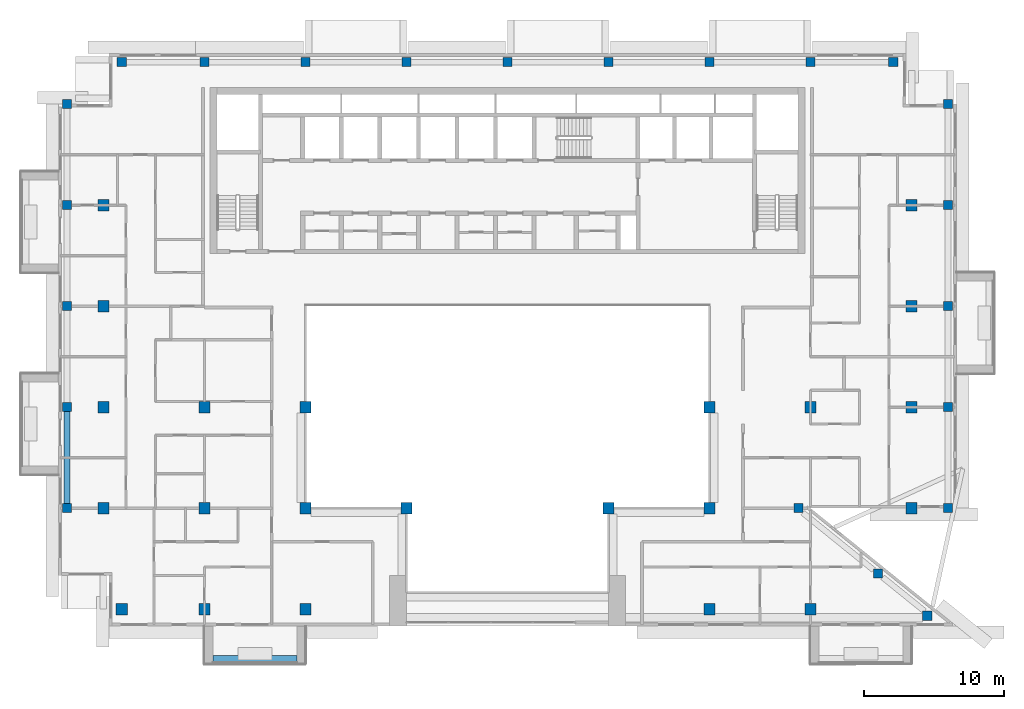
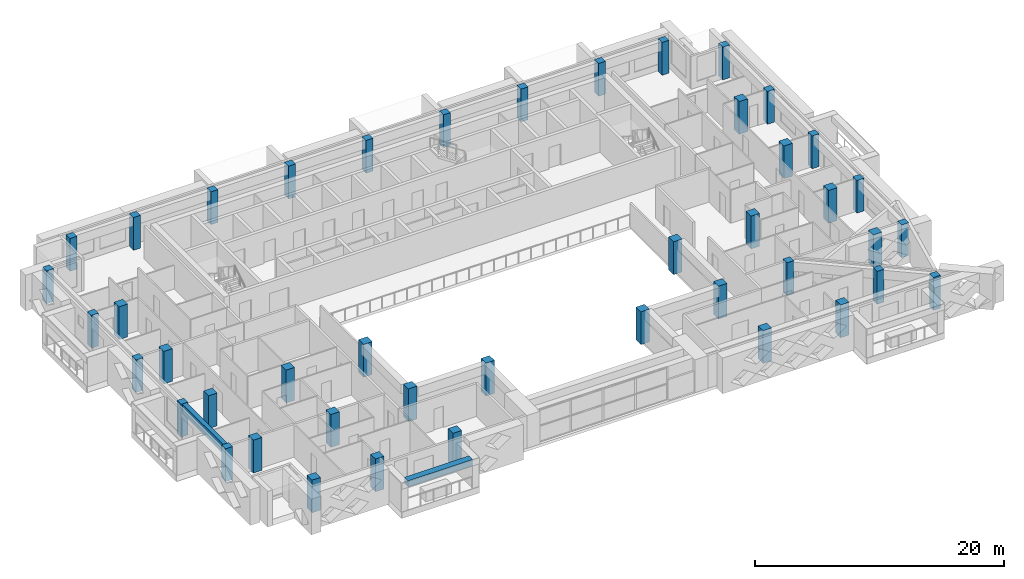
# One storey, part 1 of 19: 44 columns, 2 beams.
"""IFC4 building model written with IfcOpenShell, lengths in metres."""

from ifc_helpers import new_model, si_unit, direction, frame, origin, origin_2d, place, context, subcontext, project, spatial, rectangle, extrude, source, transform, mapped, material, material_profile, profile_set, type_object, element, save


model = new_model("IFC4")

# Units and contexts
model_context = context("Model", 3, precision=1e-05, world=origin(), true_north=direction((0.0, 1.0)))
body_context = subcontext(model_context, "Body", "Model", "MODEL_VIEW")
ifc_project = project(units=[si_unit("LENGTHUNIT", "METRE"), si_unit("AREAUNIT", "SQUARE_METRE"), si_unit("VOLUMEUNIT", "CUBIC_METRE"), si_unit("PLANEANGLEUNIT", "RADIAN"), si_unit("MASSUNIT", "GRAM", prefix="KILO")], contexts=[model_context])

# Site, building, storey
site_placement = place(None, origin())
site = spatial("IfcSite", under=ifc_project, at=site_placement, CompositionType="ELEMENT")
building_placement = place(site_placement, origin())
building = spatial("IfcBuilding", under=site, at=building_placement, Name="Saffron Iwan Residences", CompositionType="ELEMENT")
storey_placement = place(building_placement, frame((0.0, 0.0, 243.0)))
storey = spatial("IfcBuildingStorey", under=building, at=storey_placement, Name="L65", CompositionType="ELEMENT", Elevation=243.0)

# Columns
ifc_material_1 = material(Name="Concrete C40/50", Category="concrete")
ifc_material_profile_1 = material_profile(ifc_material_1, rectangle(XDim=0.64990234375, YDim=0.64990234375, at=origin_2d()), Name="RC 650x650")
ifc_profile_set_1 = profile_set([ifc_material_profile_1], Name="Concrete C40/50")
column_type_1 = type_object("IfcColumnType", Name="COL RC 650x650 C40/50 3220 HIGH", PredefinedType="COLUMN", material=ifc_profile_set_1)
shared_shape_1 = source(origin(), body_context, "Body", "SweptSolid", [
    extrude(rectangle(XDim=0.64990234375, YDim=0.64990234375, at=origin_2d()), origin(), (0.0, 0.0, 1.0), 3.219970703125),
])
for number, where, z_axis, x_axis, name in (
    (1, (80.32568359375, 40.3330078125, 0.0), (0.0, 0.0, 1.0), (1.0, 0.0, 0.0), "Column C046"),
    (2, (76.822998046875, 43.333251953125, 0.0), (0.0, 0.0, 1.0), (1.0, 0.0, 0.0), "Column C057"),
    (3, (19.0, 48.0, 0.0), (0.0, 0.0, 1.0), (1.0, 0.0, 0.0), "Column C062"),
    (4, (71.14990234375, 48.0, 0.0), (0.0, 0.0, 1.0), (1.0, 0.0, 0.0), "Column C070"),
    (5, (81.800048828125, 48.0, 0.0), (0.0, 0.0, 1.0), (1.0, 0.0, 0.0), "Column C073"),
    (6, (19.0, 55.199951171875, 0.0), (0.0, 0.0, 1.0), (1.0, 0.0, 0.0), "Column C078"),
    (7, (81.800048828125, 55.199951171875, 0.0), (0.0, 0.0, 1.0), (1.0, 0.0, 0.0), "Column C085"),
    (8, (19.0, 62.39990234375, 0.0), (0.0, 0.0, 1.0), (1.0, 0.0, 0.0), "Column C090"),
    (9, (81.800048828125, 62.39990234375, 0.0), (0.0, 0.0, 1.0), (1.0, 0.0, 0.0), "Column C093"),
    (10, (19.0, 69.60009765625, 0.0), (0.0, 0.0, 1.0), (1.0, 0.0, 0.0), "Column C098"),
    (11, (81.800048828125, 69.60009765625, 0.0), (0.0, 0.0, 1.0), (1.0, 0.0, 0.0), "Column C101"),
    (12, (19.0, 76.800048828125, 0.0), (0.0, 0.0, 1.0), (1.0, 0.0, 0.0), "Column C106"),
    (13, (81.800048828125, 76.800048828125, 0.0), (0.0, 0.0, 1.0), (1.0, 0.0, 0.0), "Column C109"),
    (14, (22.89990234375, 79.800048828125, 0.0), (0.0, 0.0, 1.0), (1.0, 0.0, 0.0), "Column C114"),
    (15, (28.800048828125, 79.800048828125, 0.0), (0.0, 0.0, 1.0), (1.0, 0.0, 0.0), "Column C115"),
    (16, (36.0, 79.800048828125, 0.0), (0.0, 0.0, 1.0), (1.0, 0.0, 0.0), "Column C116"),
    (17, (43.199951171875, 79.800048828125, 0.0), (0.0, 0.0, 1.0), (1.0, 0.0, 0.0), "Column C117"),
    (18, (50.39990234375, 79.800048828125, 0.0), (0.0, 0.0, 1.0), (1.0, 0.0, 0.0), "Column C118"),
    (19, (57.60009765625, 79.800048828125, 0.0), (0.0, 0.0, 1.0), (1.0, 0.0, 0.0), "Column C119"),
    (20, (64.800048828125, 79.800048828125, 0.0), (0.0, 0.0, 1.0), (1.0, 0.0, 0.0), "Column C120"),
    (21, (72.0, 79.800048828125, 0.0), (0.0, 0.0, 1.0), (1.0, 0.0, 0.0), "Column C121"),
    (22, (77.89990234375, 79.800048828125, 0.0), (0.0, 0.0, 1.0), (1.0, 0.0, 0.0), "Column C122"),
):
    element("IfcColumn", number, at=place(storey_placement, frame(where, z_axis=z_axis, x_axis=x_axis)), inside=storey, type_object=column_type_1, Name=name, PredefinedType="COLUMN", context=body_context, shape_type="MappedRepresentation", body=[
        mapped(shared_shape_1, transform((0.0, 0.0, 0.0))),
    ])
ifc_material_profile_2 = material_profile(ifc_material_1, rectangle(XDim=0.800048828125, YDim=0.800048828125, at=origin_2d()), Name="RC 800x800")
ifc_profile_set_2 = profile_set([ifc_material_profile_2], Name="Concrete C40/50")
column_type_2 = type_object("IfcColumnType", Name="COL RC 800x800 C40/50 3220 HIGH", PredefinedType="COLUMN", material=ifc_profile_set_2)
shared_shape_2 = source(origin(), body_context, "Body", "SweptSolid", [
    extrude(rectangle(XDim=0.800048828125, YDim=0.800048828125, at=origin_2d()), origin(), (0.0, 0.0, 1.0), 3.219970703125),
])
for number, where, z_axis, x_axis, name in (
    (23, (22.89990234375, 40.800048828125, 0.0), (0.0, 0.0, 1.0), (1.0, 0.0, 0.0), "Column C050"),
    (24, (28.800048828125, 40.800048828125, 0.0), (0.0, 0.0, 1.0), (1.0, 0.0, 0.0), "Column C051"),
    (25, (36.0, 40.800048828125, 0.0), (0.0, 0.0, 1.0), (1.0, 0.0, 0.0), "Column C052"),
    (26, (64.800048828125, 40.800048828125, 0.0), (0.0, 0.0, 1.0), (1.0, 0.0, 0.0), "Column C055"),
    (27, (72.0, 40.800048828125, 0.0), (0.0, 0.0, 1.0), (1.0, 0.0, 0.0), "Column C056"),
    (28, (21.60009765625, 48.0, 0.0), (0.0, 0.0, 1.0), (1.0, 0.0, 0.0), "Column C063"),
    (29, (28.800048828125, 48.0, 0.0), (0.0, 0.0, 1.0), (1.0, 0.0, 0.0), "Column C064"),
    (30, (36.0, 48.0, 0.0), (0.0, 0.0, 1.0), (1.0, 0.0, 0.0), "Column C065"),
    (31, (43.199951171875, 48.0, 0.0), (0.0, 0.0, 1.0), (1.0, 0.0, 0.0), "Column C066"),
    (32, (57.60009765625, 48.0, 0.0), (0.0, 0.0, 1.0), (1.0, 0.0, 0.0), "Column C068"),
    (33, (64.800048828125, 48.0, 0.0), (0.0, 0.0, 1.0), (1.0, 0.0, 0.0), "Column C069"),
    (34, (79.199951171875, 48.0, 0.0), (0.0, 0.0, 1.0), (1.0, 0.0, 0.0), "Column C072"),
    (35, (21.60009765625, 55.199951171875, 0.0), (0.0, 0.0, 1.0), (1.0, 0.0, 0.0), "Column C079"),
    (36, (28.800048828125, 55.199951171875, 0.0), (0.0, 0.0, 1.0), (1.0, 0.0, 0.0), "Column C080"),
    (37, (36.0, 55.199951171875, 0.0), (0.0, 0.0, 1.0), (1.0, 0.0, 0.0), "Column C081"),
    (38, (64.800048828125, 55.199951171875, 0.0), (0.0, 0.0, 1.0), (1.0, 0.0, 0.0), "Column C082"),
    (39, (72.0, 55.199951171875, 0.0), (0.0, 0.0, 1.0), (1.0, 0.0, 0.0), "Column C083"),
    (40, (79.199951171875, 55.199951171875, 0.0), (0.0, 0.0, 1.0), (1.0, 0.0, 0.0), "Column C084"),
    (41, (21.60009765625, 62.39990234375, 0.0), (0.0, 0.0, 1.0), (1.0, 0.0, 0.0), "Column C091"),
    (42, (79.199951171875, 62.39990234375, 0.0), (0.0, 0.0, 1.0), (1.0, 0.0, 0.0), "Column C092"),
    (43, (21.60009765625, 69.60009765625, 0.0), (0.0, 0.0, 1.0), (1.0, 0.0, 0.0), "Column C099"),
    (44, (79.199951171875, 69.60009765625, 0.0), (0.0, 0.0, 1.0), (1.0, 0.0, 0.0), "Column C100"),
):
    element("IfcColumn", number, at=place(storey_placement, frame(where, z_axis=z_axis, x_axis=x_axis)), inside=storey, type_object=column_type_2, Name=name, PredefinedType="COLUMN", context=body_context, shape_type="MappedRepresentation", body=[
        mapped(shared_shape_2, transform((0.0, 0.0, 0.0))),
    ])

# Beams
ifc_material_profile_3 = material_profile(ifc_material_1, rectangle(XDim=0.39990234375, YDim=0.89990234375, at=origin_2d()), Name="RC 400x900")
ifc_profile_set_3 = profile_set([ifc_material_profile_3], Name="Concrete C40/50")
beam_type_1 = type_object("IfcBeamType", Name="SPANDREL BEAM RC 400x900 C40/50 TOP 3220", PredefinedType="SPANDREL", material=ifc_profile_set_3)
shared_shape_3 = source(origin(), body_context, "Body", "SweptSolid", [
    extrude(rectangle(XDim=0.39990234375, YDim=0.89990234375, at=origin_2d()), origin(), (0.0, 0.0, 1.0), 6.550048828125),
])
beam_1_placement = place(storey_placement, frame((19.0, 48.324951171875, 2.77001953125), z_axis=(0.0, 1.0, 0.0), x_axis=(-1.0, 0.0, 0.0)))
element("IfcBeam", 45, at=beam_1_placement, inside=storey, type_object=beam_type_1, Name="Spandrel beam", PredefinedType="SPANDREL", context=body_context, shape_type="MappedRepresentation", body=[
    mapped(shared_shape_3, transform((0.0, 0.0, 0.0))),
])
ifc_material_2 = material(Name="Concrete C50/60 white painted", Category="concrete")
ifc_material_profile_4 = material_profile(ifc_material_2, rectangle(XDim=0.60009765625, YDim=0.60009765625, at=origin_2d()), Name="BALCONY FASCIA BEAM 600 x 600")
ifc_profile_set_4 = profile_set([ifc_material_profile_4], Name="Concrete C50/60 white painted")
beam_type_2 = type_object("IfcBeamType", Name="BALCONY FASCIA BEAM 600 x 600", PredefinedType="BEAM", material=ifc_profile_set_4)
shared_shape_4 = source(origin(), body_context, "Body", "SweptSolid", [
    extrude(rectangle(XDim=0.60009765625, YDim=0.60009765625, at=origin_2d()), origin(), (0.0, 0.0, 1.0), 6.0),
])
beam_2_placement = place(storey_placement, frame((29.39990234375, 37.199951171875, 2.550048828125), z_axis=(1.0, 0.0, 0.0), x_axis=(0.0, 1.0, 0.0)))
element("IfcBeam", 46, at=beam_2_placement, inside=storey, type_object=beam_type_2, Name="Balcony fascia beam L65 11-0", PredefinedType="BEAM", context=body_context, shape_type="MappedRepresentation", body=[
    mapped(shared_shape_4, transform((0.0, 0.0, 0.0))),
])

save(model, "model.ifc")
